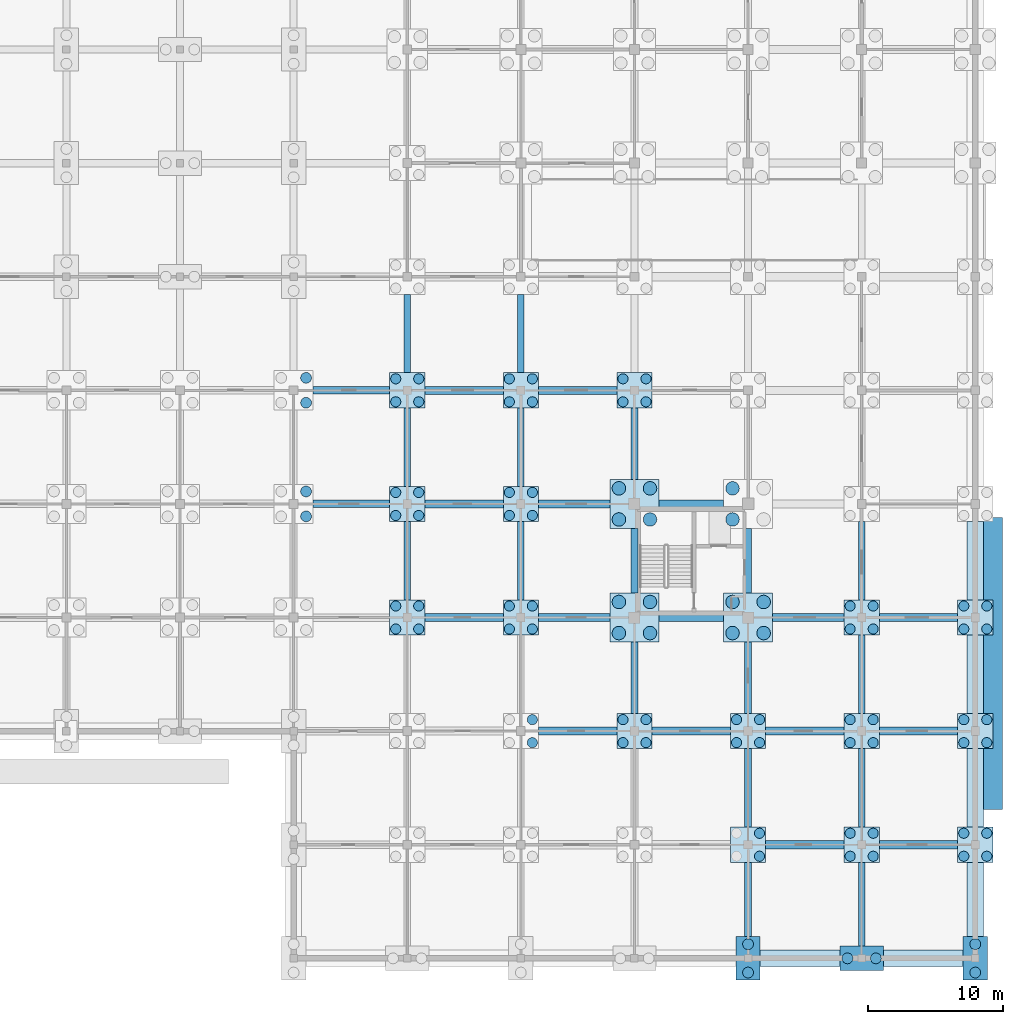
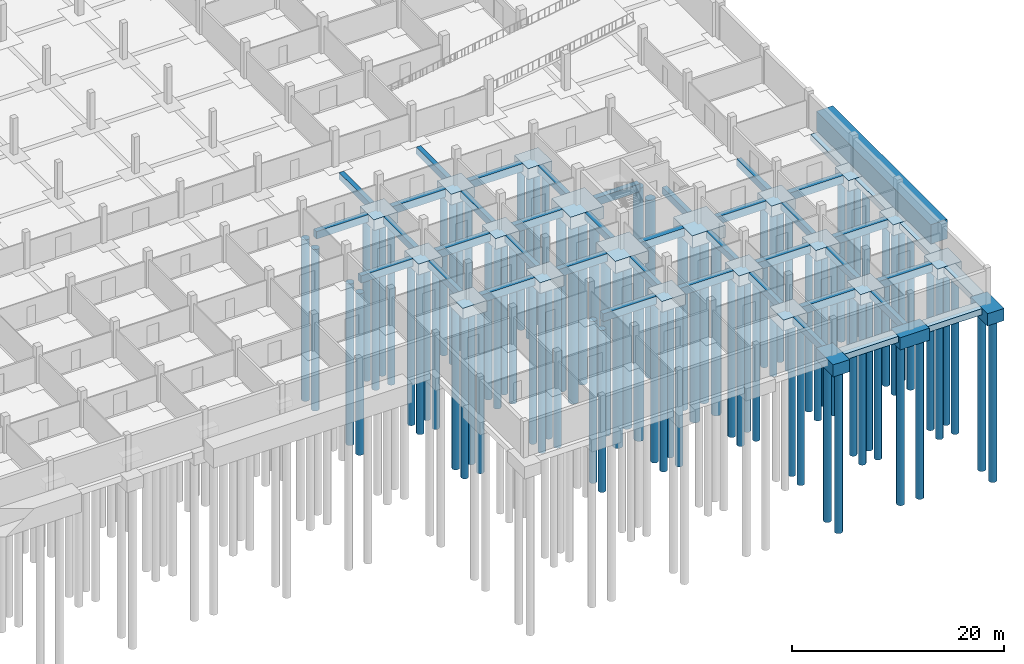
# One storey, part 12 of 43: 88 piles, 64 footings.
"""IFC4 building model written with IfcOpenShell, lengths in metres."""

from ifc_helpers import new_model, si_unit, direction, frame, origin, origin_2d, place, context, subcontext, project, spatial, rectangle, circle, extrude, material, material_profile, profile_set, type_object, element, save


model = new_model("IFC4")

# Units and contexts
model_context = context("Model", 3, precision=1e-05, world=origin(), true_north=direction((0.0, 1.0)))
body_context = subcontext(model_context, "Body", "Model", "MODEL_VIEW")
ifc_project = project(units=[si_unit("LENGTHUNIT", "METRE"), si_unit("AREAUNIT", "SQUARE_METRE"), si_unit("VOLUMEUNIT", "CUBIC_METRE"), si_unit("PLANEANGLEUNIT", "RADIAN"), si_unit("MASSUNIT", "GRAM", prefix="KILO")], contexts=[model_context])

# Site, building, storey
site_placement = place(None, origin())
site = spatial("IfcSite", under=ifc_project, at=site_placement, CompositionType="ELEMENT")
building_placement = place(site_placement, origin())
building = spatial("IfcBuilding", under=site, at=building_placement, Name="Varnapada Polytechnic", CompositionType="ELEMENT")
storey_placement = place(building_placement, frame((0.0, 0.0, -4.199951171875)))
storey = spatial("IfcBuildingStorey", under=building, at=storey_placement, Name="B1", CompositionType="ELEMENT", Elevation=-4.199951171875)

# Piles
ifc_material = material(Name="Concrete C40/50", Category="concrete")
ifc_material_profile_1 = material_profile(ifc_material, circle(Radius=0.5, at=origin_2d()), Name="BP 1000")
ifc_profile_set_1 = profile_set([ifc_material_profile_1], Name="Concrete C40/50")
pile_type_1 = type_object("IfcPileType", Name="Bored Pile BP 1000", PredefinedType="BORED", material=ifc_profile_set_1)
for number, where, z_axis, x_axis, name in (
    (1, (150.050048828125, 24.050048828125, -1.300048828125), (0.0, 0.0, -1.0), (1.0, 0.0, 0.0), "Bored pile P-01 under CAP-18-03 (1)"),
    (2, (152.35009765625, 24.050048828125, -1.300048828125), (0.0, 0.0, -1.0), (1.0, 0.0, 0.0), "Bored pile P-01 under CAP-18-03 (2)"),
    (3, (150.050048828125, 26.35009765625, -1.300048828125), (0.0, 0.0, -1.0), (1.0, 0.0, 0.0), "Bored pile P-01 under CAP-18-03 (3)"),
    (4, (152.35009765625, 26.35009765625, -1.300048828125), (0.0, 0.0, -1.0), (1.0, 0.0, 0.0), "Bored pile P-01 under CAP-18-03 (4)"),
    (5, (150.050048828125, 32.449951171875, -1.300048828125), (0.0, 0.0, -1.0), (1.0, 0.0, 0.0), "Bored pile P-01 under CAP-18-04 (1)"),
    (6, (152.35009765625, 32.449951171875, -1.300048828125), (0.0, 0.0, -1.0), (1.0, 0.0, 0.0), "Bored pile P-01 under CAP-18-04 (2)"),
    (7, (150.050048828125, 34.75, -1.300048828125), (0.0, 0.0, -1.0), (1.0, 0.0, 0.0), "Bored pile P-01 under CAP-18-04 (3)"),
    (8, (152.35009765625, 34.75, -1.300048828125), (0.0, 0.0, -1.0), (1.0, 0.0, 0.0), "Bored pile P-01 under CAP-18-04 (4)"),
    (9, (158.449951171875, 24.050048828125, -1.300048828125), (0.0, 0.0, -1.0), (1.0, 0.0, 0.0), "Bored pile P-01 under CAP-19-03 (1)"),
    (10, (160.75, 24.050048828125, -1.300048828125), (0.0, 0.0, -1.0), (1.0, 0.0, 0.0), "Bored pile P-01 under CAP-19-03 (2)"),
    (11, (158.449951171875, 26.35009765625, -1.300048828125), (0.0, 0.0, -1.0), (1.0, 0.0, 0.0), "Bored pile P-01 under CAP-19-03 (3)"),
    (12, (160.75, 26.35009765625, -1.300048828125), (0.0, 0.0, -1.0), (1.0, 0.0, 0.0), "Bored pile P-01 under CAP-19-03 (4)"),
    (13, (158.449951171875, 32.449951171875, -1.300048828125), (0.0, 0.0, -1.0), (1.0, 0.0, 0.0), "Bored pile P-01 under CAP-19-04 (1)"),
    (14, (158.449951171875, 34.75, -1.300048828125), (0.0, 0.0, -1.0), (1.0, 0.0, 0.0), "Bored pile P-01 under CAP-19-04 (3)"),
):
    element("IfcPile", number, at=place(storey_placement, frame(where, z_axis=z_axis, x_axis=x_axis)), inside=storey, type_object=pile_type_1, Name=name, PredefinedType="BORED", context=body_context, shape_type="SweptSolid", body=[
        extrude(circle(Radius=0.5, at=origin_2d()), origin(), (0.0, 0.0, 1.0), 20.5),
    ])
ifc_material_profile_2 = material_profile(ifc_material, circle(Radius=0.375, at=origin_2d()), Name="BP 750")
ifc_profile_set_2 = profile_set([ifc_material_profile_2], Name="Concrete C40/50")
pile_type_2 = type_object("IfcPileType", Name="Bored Pile BP 750", PredefinedType="BORED", material=ifc_profile_set_2)
for number, where, z_axis, x_axis, name in (
    (15, (133.550048828125, 24.35009765625, -1.150146484375), (0.0, 0.0, -1.0), (1.0, 0.0, 0.0), "Bored pile P-05 under CAP-16-03 (1)"),
    (16, (135.25, 24.35009765625, -1.150146484375), (0.0, 0.0, -1.0), (1.0, 0.0, 0.0), "Bored pile P-05 under CAP-16-03 (2)"),
    (17, (133.550048828125, 26.050048828125, -1.150146484375), (0.0, 0.0, -1.0), (1.0, 0.0, 0.0), "Bored pile P-05 under CAP-16-03 (3)"),
    (18, (135.25, 26.050048828125, -1.150146484375), (0.0, 0.0, -1.0), (1.0, 0.0, 0.0), "Bored pile P-05 under CAP-16-03 (4)"),
    (19, (133.550048828125, 32.75, -1.150146484375), (0.0, 0.0, -1.0), (1.0, 0.0, 0.0), "Bored pile P-05 under CAP-16-04 (1)"),
    (20, (135.25, 32.75, -1.150146484375), (0.0, 0.0, -1.0), (1.0, 0.0, 0.0), "Bored pile P-05 under CAP-16-04 (2)"),
    (21, (133.550048828125, 34.449951171875, -1.150146484375), (0.0, 0.0, -1.0), (1.0, 0.0, 0.0), "Bored pile P-05 under CAP-16-04 (3)"),
    (22, (135.25, 34.449951171875, -1.150146484375), (0.0, 0.0, -1.0), (1.0, 0.0, 0.0), "Bored pile P-05 under CAP-16-04 (4)"),
    (23, (133.550048828125, 41.14990234375, -1.150146484375), (0.0, 0.0, -1.0), (1.0, 0.0, 0.0), "Bored pile P-05 under CAP-16-05 (1)"),
    (24, (135.25, 41.14990234375, -1.150146484375), (0.0, 0.0, -1.0), (1.0, 0.0, 0.0), "Bored pile P-05 under CAP-16-05 (2)"),
    (25, (133.550048828125, 42.85009765625, -1.150146484375), (0.0, 0.0, -1.0), (1.0, 0.0, 0.0), "Bored pile P-05 under CAP-16-05 (3)"),
    (26, (135.25, 42.85009765625, -1.150146484375), (0.0, 0.0, -1.0), (1.0, 0.0, 0.0), "Bored pile P-05 under CAP-16-05 (4)"),
    (27, (143.64990234375, 15.949951171875, -1.150146484375), (0.0, 0.0, -1.0), (1.0, 0.0, 0.0), "Bored pile P-05 under CAP-17-02 (2)"),
    (28, (143.64990234375, 17.64990234375, -1.150146484375), (0.0, 0.0, -1.0), (1.0, 0.0, 0.0), "Bored pile P-05 under CAP-17-02 (4)"),
    (29, (141.949951171875, 24.35009765625, -1.150146484375), (0.0, 0.0, -1.0), (1.0, 0.0, 0.0), "Bored pile P-05 under CAP-17-03 (1)"),
    (30, (143.64990234375, 24.35009765625, -1.150146484375), (0.0, 0.0, -1.0), (1.0, 0.0, 0.0), "Bored pile P-05 under CAP-17-03 (2)"),
    (31, (141.949951171875, 26.050048828125, -1.150146484375), (0.0, 0.0, -1.0), (1.0, 0.0, 0.0), "Bored pile P-05 under CAP-17-03 (3)"),
    (32, (143.64990234375, 26.050048828125, -1.150146484375), (0.0, 0.0, -1.0), (1.0, 0.0, 0.0), "Bored pile P-05 under CAP-17-03 (4)"),
    (33, (141.949951171875, 32.75, -1.150146484375), (0.0, 0.0, -1.0), (1.0, 0.0, 0.0), "Bored pile P-05 under CAP-17-04 (1)"),
    (34, (143.64990234375, 32.75, -1.150146484375), (0.0, 0.0, -1.0), (1.0, 0.0, 0.0), "Bored pile P-05 under CAP-17-04 (2)"),
    (35, (141.949951171875, 34.449951171875, -1.150146484375), (0.0, 0.0, -1.0), (1.0, 0.0, 0.0), "Bored pile P-05 under CAP-17-04 (3)"),
    (36, (143.64990234375, 34.449951171875, -1.150146484375), (0.0, 0.0, -1.0), (1.0, 0.0, 0.0), "Bored pile P-05 under CAP-17-04 (4)"),
    (37, (141.949951171875, 41.14990234375, -1.150146484375), (0.0, 0.0, -1.0), (1.0, 0.0, 0.0), "Bored pile P-05 under CAP-17-05 (1)"),
    (38, (143.64990234375, 41.14990234375, -1.150146484375), (0.0, 0.0, -1.0), (1.0, 0.0, 0.0), "Bored pile P-05 under CAP-17-05 (2)"),
    (39, (141.949951171875, 42.85009765625, -1.150146484375), (0.0, 0.0, -1.0), (1.0, 0.0, 0.0), "Bored pile P-05 under CAP-17-05 (3)"),
    (40, (143.64990234375, 42.85009765625, -1.150146484375), (0.0, 0.0, -1.0), (1.0, 0.0, 0.0), "Bored pile P-05 under CAP-17-05 (4)"),
    (41, (150.35009765625, 15.949951171875, -1.150146484375), (0.0, 0.0, -1.0), (1.0, 0.0, 0.0), "Bored pile P-05 under CAP-18-02 (1)"),
    (42, (152.050048828125, 15.949951171875, -1.150146484375), (0.0, 0.0, -1.0), (1.0, 0.0, 0.0), "Bored pile P-05 under CAP-18-02 (2)"),
    (43, (150.35009765625, 17.64990234375, -1.150146484375), (0.0, 0.0, -1.0), (1.0, 0.0, 0.0), "Bored pile P-05 under CAP-18-02 (3)"),
    (44, (152.050048828125, 17.64990234375, -1.150146484375), (0.0, 0.0, -1.0), (1.0, 0.0, 0.0), "Bored pile P-05 under CAP-18-02 (4)"),
    (45, (150.35009765625, 41.14990234375, -1.150146484375), (0.0, 0.0, -1.0), (1.0, 0.0, 0.0), "Bored pile P-05 under CAP-18-05 (1)"),
    (46, (152.050048828125, 41.14990234375, -1.150146484375), (0.0, 0.0, -1.0), (1.0, 0.0, 0.0), "Bored pile P-05 under CAP-18-05 (2)"),
    (47, (150.35009765625, 42.85009765625, -1.150146484375), (0.0, 0.0, -1.0), (1.0, 0.0, 0.0), "Bored pile P-05 under CAP-18-05 (3)"),
    (48, (152.050048828125, 42.85009765625, -1.150146484375), (0.0, 0.0, -1.0), (1.0, 0.0, 0.0), "Bored pile P-05 under CAP-18-05 (4)"),
    (49, (160.449951171875, 7.550048828125, -1.150146484375), (0.0, 0.0, -1.0), (1.0, 0.0, 0.0), "Bored pile P-05 under CAP-19-01 (2)"),
    (50, (160.449951171875, 9.25, -1.150146484375), (0.0, 0.0, -1.0), (1.0, 0.0, 0.0), "Bored pile P-05 under CAP-19-01 (4)"),
    (51, (158.75, 15.949951171875, -1.150146484375), (0.0, 0.0, -1.0), (1.0, 0.0, 0.0), "Bored pile P-05 under CAP-19-02 (1)"),
    (52, (160.449951171875, 15.949951171875, -1.150146484375), (0.0, 0.0, -1.0), (1.0, 0.0, 0.0), "Bored pile P-05 under CAP-19-02 (2)"),
    (53, (158.75, 17.64990234375, -1.150146484375), (0.0, 0.0, -1.0), (1.0, 0.0, 0.0), "Bored pile P-05 under CAP-19-02 (3)"),
    (54, (160.449951171875, 17.64990234375, -1.150146484375), (0.0, 0.0, -1.0), (1.0, 0.0, 0.0), "Bored pile P-05 under CAP-19-02 (4)"),
    (55, (167.14990234375, 7.550048828125, -1.150146484375), (0.0, 0.0, -1.0), (1.0, 0.0, 0.0), "Bored pile P-05 under CAP-20-01 (1)"),
    (56, (168.85009765625, 7.550048828125, -1.150146484375), (0.0, 0.0, -1.0), (1.0, 0.0, 0.0), "Bored pile P-05 under CAP-20-01 (2)"),
    (57, (167.14990234375, 9.25, -1.150146484375), (0.0, 0.0, -1.0), (1.0, 0.0, 0.0), "Bored pile P-05 under CAP-20-01 (3)"),
    (58, (168.85009765625, 9.25, -1.150146484375), (0.0, 0.0, -1.0), (1.0, 0.0, 0.0), "Bored pile P-05 under CAP-20-01 (4)"),
    (59, (167.14990234375, 15.949951171875, -1.150146484375), (0.0, 0.0, -1.0), (1.0, 0.0, 0.0), "Bored pile P-05 under CAP-20-02 (1)"),
    (60, (168.85009765625, 15.949951171875, -1.150146484375), (0.0, 0.0, -1.0), (1.0, 0.0, 0.0), "Bored pile P-05 under CAP-20-02 (2)"),
    (61, (167.14990234375, 17.64990234375, -1.150146484375), (0.0, 0.0, -1.0), (1.0, 0.0, 0.0), "Bored pile P-05 under CAP-20-02 (3)"),
    (62, (168.85009765625, 17.64990234375, -1.150146484375), (0.0, 0.0, -1.0), (1.0, 0.0, 0.0), "Bored pile P-05 under CAP-20-02 (4)"),
    (63, (167.14990234375, 24.35009765625, -1.150146484375), (0.0, 0.0, -1.0), (1.0, 0.0, 0.0), "Bored pile P-05 under CAP-20-03 (1)"),
    (64, (168.85009765625, 24.35009765625, -1.150146484375), (0.0, 0.0, -1.0), (1.0, 0.0, 0.0), "Bored pile P-05 under CAP-20-03 (2)"),
    (65, (167.14990234375, 26.050048828125, -1.150146484375), (0.0, 0.0, -1.0), (1.0, 0.0, 0.0), "Bored pile P-05 under CAP-20-03 (3)"),
    (66, (168.85009765625, 26.050048828125, -1.150146484375), (0.0, 0.0, -1.0), (1.0, 0.0, 0.0), "Bored pile P-05 under CAP-20-03 (4)"),
    (67, (175.550048828125, 7.550048828125, -1.150146484375), (0.0, 0.0, -1.0), (1.0, 0.0, 0.0), "Bored pile P-05 under CAP-21-01 (1)"),
    (68, (177.25, 7.550048828125, -1.150146484375), (0.0, 0.0, -1.0), (1.0, 0.0, 0.0), "Bored pile P-05 under CAP-21-01 (2)"),
    (69, (175.550048828125, 9.25, -1.150146484375), (0.0, 0.0, -1.0), (1.0, 0.0, 0.0), "Bored pile P-05 under CAP-21-01 (3)"),
    (70, (177.25, 9.25, -1.150146484375), (0.0, 0.0, -1.0), (1.0, 0.0, 0.0), "Bored pile P-05 under CAP-21-01 (4)"),
    (71, (175.550048828125, 15.949951171875, -1.150146484375), (0.0, 0.0, -1.0), (1.0, 0.0, 0.0), "Bored pile P-05 under CAP-21-02 (1)"),
    (72, (177.25, 15.949951171875, -1.150146484375), (0.0, 0.0, -1.0), (1.0, 0.0, 0.0), "Bored pile P-05 under CAP-21-02 (2)"),
    (73, (175.550048828125, 17.64990234375, -1.150146484375), (0.0, 0.0, -1.0), (1.0, 0.0, 0.0), "Bored pile P-05 under CAP-21-02 (3)"),
    (74, (177.25, 17.64990234375, -1.150146484375), (0.0, 0.0, -1.0), (1.0, 0.0, 0.0), "Bored pile P-05 under CAP-21-02 (4)"),
    (75, (175.550048828125, 24.35009765625, -1.150146484375), (0.0, 0.0, -1.0), (1.0, 0.0, 0.0), "Bored pile P-05 under CAP-21-03 (1)"),
    (76, (177.25, 24.35009765625, -1.150146484375), (0.0, 0.0, -1.0), (1.0, 0.0, 0.0), "Bored pile P-05 under CAP-21-03 (2)"),
    (77, (175.550048828125, 26.050048828125, -1.150146484375), (0.0, 0.0, -1.0), (1.0, 0.0, 0.0), "Bored pile P-05 under CAP-21-03 (3)"),
    (78, (177.25, 26.050048828125, -1.150146484375), (0.0, 0.0, -1.0), (1.0, 0.0, 0.0), "Bored pile P-05 under CAP-21-03 (4)"),
):
    element("IfcPile", number, at=place(storey_placement, frame(where, z_axis=z_axis, x_axis=x_axis)), inside=storey, type_object=pile_type_2, Name=name, PredefinedType="BORED", context=body_context, shape_type="SweptSolid", body=[
        extrude(circle(Radius=0.375, at=origin_2d()), origin(), (0.0, 0.0, 1.0), 18.64990234375),
    ])
ifc_material_profile_3 = material_profile(ifc_material, circle(Radius=0.39990234375, at=origin_2d()), Name="BP 800")
ifc_profile_set_3 = profile_set([ifc_material_profile_3], Name="Concrete C40/50")
pile_type_3 = type_object("IfcPileType", Name="Bored Pile BP 800", PredefinedType="BORED", material=ifc_profile_set_3)
for number, where, z_axis, x_axis, name in (
    (79, (126.919921875, 32.679931640625, -1.199951171875), (0.0, 0.0, -1.0), (1.0, 0.0, 0.0), "Bored pile P-03 under CAP-15-04 (2)"),
    (80, (126.919921875, 34.52001953125, -1.199951171875), (0.0, 0.0, -1.0), (1.0, 0.0, 0.0), "Bored pile P-03 under CAP-15-04 (4)"),
    (81, (126.919921875, 41.080078125, -1.199951171875), (0.0, 0.0, -1.0), (1.0, 0.0, 0.0), "Bored pile P-03 under CAP-15-05 (2)"),
    (82, (126.919921875, 42.919921875, -1.199951171875), (0.0, 0.0, -1.0), (1.0, 0.0, 0.0), "Bored pile P-03 under CAP-15-05 (4)"),
):
    element("IfcPile", number, at=place(storey_placement, frame(where, z_axis=z_axis, x_axis=x_axis)), inside=storey, type_object=pile_type_3, Name=name, PredefinedType="BORED", context=body_context, shape_type="SweptSolid", body=[
        extrude(circle(Radius=0.39990234375, at=origin_2d()), origin(), (0.0, 0.0, 1.0), 18.60009765625),
    ])
for number, where, z_axis, x_axis, name in (
    (83, (159.60009765625, -1.050048828125, -1.300048828125), (0.0, 0.0, -1.0), (1.0, 0.0, 0.0), "Bored pile P-03 under CAP-19-00 (1)"),
    (84, (159.60009765625, 1.050048828125, -1.300048828125), (0.0, 0.0, -1.0), (1.0, 0.0, 0.0), "Bored pile P-03 under CAP-19-00 (2)"),
    (85, (166.949951171875, 0.0, -1.300048828125), (0.0, 0.0, -1.0), (1.0, 0.0, 0.0), "Bored pile P-03 under CAP-20-00 (1)"),
    (86, (169.050048828125, 0.0, -1.300048828125), (0.0, 0.0, -1.0), (1.0, 0.0, 0.0), "Bored pile P-03 under CAP-20-00 (2)"),
    (87, (176.39990234375, -1.050048828125, -1.300048828125), (0.0, 0.0, -1.0), (1.0, 0.0, 0.0), "Bored pile P-03 under CAP-21-00 (1)"),
    (88, (176.39990234375, 1.050048828125, -1.300048828125), (0.0, 0.0, -1.0), (1.0, 0.0, 0.0), "Bored pile P-03 under CAP-21-00 (2)"),
):
    element("IfcPile", number, at=place(storey_placement, frame(where, z_axis=z_axis, x_axis=x_axis)), inside=storey, type_object=pile_type_3, Name=name, PredefinedType="BORED", context=body_context, shape_type="SweptSolid", body=[
        extrude(circle(Radius=0.39990234375, at=origin_2d()), origin(), (0.0, 0.0, 1.0), 18.5),
    ])

# Footings
footing_type_1 = type_object("IfcFootingType", Name="Footing GB-01", PredefinedType="FOOTING_BEAM", material=ifc_material)
for number, where, z_axis, x_axis, name in (
    (89, (138.60009765625, 25.199951171875, -0.89990234375), (0.0, 0.0, 1.0), (1.0, 0.0, 0.0), "Ground footing beam GB-01 X 17-18"),
    (90, (138.60009765625, 33.60009765625, -0.89990234375), (0.0, 0.0, 1.0), (1.0, 0.0, 0.0), "Ground footing beam GB-01 X 17-18"),
    (91, (138.60009765625, 42.0, -0.89990234375), (0.0, 0.0, 1.0), (1.0, 0.0, 0.0), "Ground footing beam GB-01 X 17-18"),
    (92, (147.0, 16.800048828125, -0.89990234375), (0.0, 0.0, 1.0), (1.0, 0.0, 0.0), "Ground footing beam GB-01 X 18-19"),
):
    element("IfcFooting", number, at=place(storey_placement, frame(where, z_axis=z_axis, x_axis=x_axis)), inside=storey, type_object=footing_type_1, Name=name, PredefinedType="FOOTING_BEAM", context=body_context, shape_type="SweptSolid", body=[
        extrude(rectangle(XDim=5.800048828125, YDim=0.60009765625, at=origin_2d()), origin(), (0.0, 0.0, 1.0), 0.89990234375),
    ])
for number, where, z_axis, x_axis, name in (
    (93, (146.75, 25.199951171875, -0.89990234375), (0.0, 0.0, 1.0), (1.0, 0.0, 0.0), "Ground footing beam GB-01 X 18-19"),
    (94, (146.75, 33.60009765625, -0.89990234375), (0.0, 0.0, 1.0), (1.0, 0.0, 0.0), "Ground footing beam GB-01 X 18-19"),
):
    element("IfcFooting", number, at=place(storey_placement, frame(where, z_axis=z_axis, x_axis=x_axis)), inside=storey, type_object=footing_type_1, Name=name, PredefinedType="FOOTING_BEAM", context=body_context, shape_type="SweptSolid", body=[
        extrude(rectangle(XDim=5.300048828125, YDim=0.60009765625, at=origin_2d()), origin(), (0.0, 0.0, 1.0), 0.89990234375),
    ])
for number, where, z_axis, x_axis, name in (
    (95, (147.0, 42.0, -0.89990234375), (0.0, 0.0, 1.0), (1.0, 0.0, 0.0), "Ground footing beam GB-01 X 18-19"),
    (96, (155.39990234375, 16.800048828125, -0.89990234375), (0.0, 0.0, 1.0), (1.0, 0.0, 0.0), "Ground footing beam GB-01 X 19-20"),
):
    element("IfcFooting", number, at=place(storey_placement, frame(where, z_axis=z_axis, x_axis=x_axis)), inside=storey, type_object=footing_type_1, Name=name, PredefinedType="FOOTING_BEAM", context=body_context, shape_type="SweptSolid", body=[
        extrude(rectangle(XDim=5.800048828125, YDim=0.60009765625, at=origin_2d()), origin(), (0.0, 0.0, 1.0), 0.89990234375),
    ])
for number, where, z_axis, x_axis, name in (
    (97, (155.39990234375, 25.199951171875, -0.89990234375), (0.0, 0.0, 1.0), (1.0, 0.0, 0.0), "Ground footing beam GB-01 X 19-20"),
    (98, (155.39990234375, 33.60009765625, -0.89990234375), (0.0, 0.0, 1.0), (1.0, 0.0, 0.0), "Ground footing beam GB-01 X 19-20"),
):
    element("IfcFooting", number, at=place(storey_placement, frame(where, z_axis=z_axis, x_axis=x_axis)), inside=storey, type_object=footing_type_1, Name=name, PredefinedType="FOOTING_BEAM", context=body_context, shape_type="SweptSolid", body=[
        extrude(rectangle(XDim=4.800048828125, YDim=0.60009765625, at=origin_2d()), origin(), (0.0, 0.0, 1.0), 0.89990234375),
    ])
for number, where, z_axis, x_axis, name in (
    (99, (163.800048828125, 8.39990234375, -0.89990234375), (0.0, 0.0, 1.0), (1.0, 0.0, 0.0), "Ground footing beam GB-01 X 20-21"),
    (100, (163.800048828125, 16.800048828125, -0.89990234375), (0.0, 0.0, 1.0), (1.0, 0.0, 0.0), "Ground footing beam GB-01 X 20-21"),
):
    element("IfcFooting", number, at=place(storey_placement, frame(where, z_axis=z_axis, x_axis=x_axis)), inside=storey, type_object=footing_type_1, Name=name, PredefinedType="FOOTING_BEAM", context=body_context, shape_type="SweptSolid", body=[
        extrude(rectangle(XDim=5.800048828125, YDim=0.60009765625, at=origin_2d()), origin(), (0.0, 0.0, 1.0), 0.89990234375),
    ])
footing_1_placement = place(storey_placement, frame((164.050048828125, 25.199951171875, -0.89990234375), z_axis=(0.0, 0.0, 1.0), x_axis=(1.0, 0.0, 0.0)))
element("IfcFooting", 101, at=footing_1_placement, inside=storey, type_object=footing_type_1, Name="Ground footing beam GB-01 X 20-21", PredefinedType="FOOTING_BEAM", context=body_context, shape_type="SweptSolid", body=[
    extrude(rectangle(XDim=5.300048828125, YDim=0.60009765625, at=origin_2d()), origin(), (0.0, 0.0, 1.0), 0.89990234375),
])
for number, where, z_axis, x_axis, name in (
    (102, (172.199951171875, 8.39990234375, -0.89990234375), (0.0, 0.0, 1.0), (1.0, 0.0, 0.0), "Ground footing beam GB-01 X 21-22"),
    (103, (172.199951171875, 16.800048828125, -0.89990234375), (0.0, 0.0, 1.0), (1.0, 0.0, 0.0), "Ground footing beam GB-01 X 21-22"),
    (104, (172.199951171875, 25.199951171875, -0.89990234375), (0.0, 0.0, 1.0), (1.0, 0.0, 0.0), "Ground footing beam GB-01 X 21-22"),
):
    element("IfcFooting", number, at=place(storey_placement, frame(where, z_axis=z_axis, x_axis=x_axis)), inside=storey, type_object=footing_type_1, Name=name, PredefinedType="FOOTING_BEAM", context=body_context, shape_type="SweptSolid", body=[
        extrude(rectangle(XDim=5.800048828125, YDim=0.60009765625, at=origin_2d()), origin(), (0.0, 0.0, 1.0), 0.89990234375),
    ])
footing_type_2 = type_object("IfcFootingType", Name="Footing GB-02", PredefinedType="FOOTING_BEAM", material=ifc_material)
for number, where, z_axis, x_axis, name in (
    (105, (134.39990234375, 29.39990234375, -0.80029296875), (0.0, 0.0, 1.0), (0.0, 1.0, 0.0), "Ground footing beam GB-02 Y 4-5"),
    (106, (134.39990234375, 37.800048828125, -0.80029296875), (0.0, 0.0, 1.0), (0.0, 1.0, 0.0), "Ground footing beam GB-02 Y 5-6"),
    (107, (134.39990234375, 46.199951171875, -0.80029296875), (0.0, 0.0, 1.0), (0.0, 1.0, 0.0), "Ground footing beam GB-02 Y 6-7"),
    (108, (142.800048828125, 29.39990234375, -0.80029296875), (0.0, 0.0, 1.0), (0.0, 1.0, 0.0), "Ground footing beam GB-02 Y 4-5"),
    (109, (142.800048828125, 37.800048828125, -0.80029296875), (0.0, 0.0, 1.0), (0.0, 1.0, 0.0), "Ground footing beam GB-02 Y 5-6"),
    (110, (142.800048828125, 46.199951171875, -0.80029296875), (0.0, 0.0, 1.0), (0.0, 1.0, 0.0), "Ground footing beam GB-02 Y 6-7"),
):
    element("IfcFooting", number, at=place(storey_placement, frame(where, z_axis=z_axis, x_axis=x_axis)), inside=storey, type_object=footing_type_2, Name=name, PredefinedType="FOOTING_BEAM", context=body_context, shape_type="SweptSolid", body=[
        extrude(rectangle(XDim=5.800048828125, YDim=0.5, at=origin_2d()), origin(), (0.0, 0.0, 1.0), 0.800048828125),
    ])
footing_2_placement = place(storey_placement, frame((151.199951171875, 20.75, -0.80029296875), z_axis=(0.0, 0.0, 1.0), x_axis=(0.0, 1.0, 0.0)))
element("IfcFooting", 111, at=footing_2_placement, inside=storey, type_object=footing_type_2, Name="Ground footing beam GB-02 Y 3-4", PredefinedType="FOOTING_BEAM", context=body_context, shape_type="SweptSolid", body=[
    extrude(rectangle(XDim=5.300048828125, YDim=0.5, at=origin_2d()), origin(), (0.0, 0.0, 1.0), 0.800048828125),
])
footing_3_placement = place(storey_placement, frame((151.199951171875, 29.39990234375, -0.80029296875), z_axis=(0.0, 0.0, 1.0), x_axis=(0.0, 1.0, 0.0)))
element("IfcFooting", 112, at=footing_3_placement, inside=storey, type_object=footing_type_2, Name="Ground footing beam GB-02 Y 4-5", PredefinedType="FOOTING_BEAM", context=body_context, shape_type="SweptSolid", body=[
    extrude(rectangle(XDim=4.800048828125, YDim=0.5, at=origin_2d()), origin(), (0.0, 0.0, 1.0), 0.800048828125),
])
footing_4_placement = place(storey_placement, frame((151.199951171875, 38.050048828125, -0.80029296875), z_axis=(0.0, 0.0, 1.0), x_axis=(0.0, 1.0, 0.0)))
element("IfcFooting", 113, at=footing_4_placement, inside=storey, type_object=footing_type_2, Name="Ground footing beam GB-02 Y 5-6", PredefinedType="FOOTING_BEAM", context=body_context, shape_type="SweptSolid", body=[
    extrude(rectangle(XDim=5.300048828125, YDim=0.5, at=origin_2d()), origin(), (0.0, 0.0, 1.0), 0.800048828125),
])
footing_5_placement = place(storey_placement, frame((159.60009765625, 4.35009765625, -0.80029296875), z_axis=(0.0, 0.0, 1.0), x_axis=(0.0, 1.0, 0.0)))
element("IfcFooting", 114, at=footing_5_placement, inside=storey, type_object=footing_type_2, Name="Ground footing beam GB-02 Y 1-2", PredefinedType="FOOTING_BEAM", context=body_context, shape_type="SweptSolid", body=[
    extrude(rectangle(XDim=5.5, YDim=0.5, at=origin_2d()), origin(), (0.0, 0.0, 1.0), 0.800048828125),
])
footing_6_placement = place(storey_placement, frame((159.60009765625, 12.60009765625, -0.80029296875), z_axis=(0.0, 0.0, 1.0), x_axis=(0.0, 1.0, 0.0)))
element("IfcFooting", 115, at=footing_6_placement, inside=storey, type_object=footing_type_2, Name="Ground footing beam GB-02 Y 2-3", PredefinedType="FOOTING_BEAM", context=body_context, shape_type="SweptSolid", body=[
    extrude(rectangle(XDim=5.800048828125, YDim=0.5, at=origin_2d()), origin(), (0.0, 0.0, 1.0), 0.800048828125),
])
footing_7_placement = place(storey_placement, frame((159.60009765625, 20.75, -0.80029296875), z_axis=(0.0, 0.0, 1.0), x_axis=(0.0, 1.0, 0.0)))
element("IfcFooting", 116, at=footing_7_placement, inside=storey, type_object=footing_type_2, Name="Ground footing beam GB-02 Y 3-4", PredefinedType="FOOTING_BEAM", context=body_context, shape_type="SweptSolid", body=[
    extrude(rectangle(XDim=5.300048828125, YDim=0.5, at=origin_2d()), origin(), (0.0, 0.0, 1.0), 0.800048828125),
])
footing_8_placement = place(storey_placement, frame((159.60009765625, 29.39990234375, -0.80029296875), z_axis=(0.0, 0.0, 1.0), x_axis=(0.0, 1.0, 0.0)))
element("IfcFooting", 117, at=footing_8_placement, inside=storey, type_object=footing_type_2, Name="Ground footing beam GB-02 Y 4-5", PredefinedType="FOOTING_BEAM", context=body_context, shape_type="SweptSolid", body=[
    extrude(rectangle(XDim=4.800048828125, YDim=0.5, at=origin_2d()), origin(), (0.0, 0.0, 1.0), 0.800048828125),
])
footing_9_placement = place(storey_placement, frame((168.0, 4.0, -0.80029296875), z_axis=(0.0, 0.0, 1.0), x_axis=(0.0, 1.0, 0.0)))
element("IfcFooting", 118, at=footing_9_placement, inside=storey, type_object=footing_type_2, Name="Ground footing beam GB-02 Y 1-2", PredefinedType="FOOTING_BEAM", context=body_context, shape_type="SweptSolid", body=[
    extrude(rectangle(XDim=6.199951171875, YDim=0.5, at=origin_2d()), origin(), (0.0, 0.0, 1.0), 0.800048828125),
])
for number, where, z_axis, x_axis, name in (
    (119, (168.0, 12.60009765625, -0.80029296875), (0.0, 0.0, 1.0), (0.0, 1.0, 0.0), "Ground footing beam GB-02 Y 2-3"),
    (120, (168.0, 21.0, -0.80029296875), (0.0, 0.0, 1.0), (0.0, 1.0, 0.0), "Ground footing beam GB-02 Y 3-4"),
    (121, (168.0, 29.39990234375, -0.80029296875), (0.0, 0.0, 1.0), (0.0, 1.0, 0.0), "Ground footing beam GB-02 Y 4-5"),
):
    element("IfcFooting", number, at=place(storey_placement, frame(where, z_axis=z_axis, x_axis=x_axis)), inside=storey, type_object=footing_type_2, Name=name, PredefinedType="FOOTING_BEAM", context=body_context, shape_type="SweptSolid", body=[
        extrude(rectangle(XDim=5.800048828125, YDim=0.5, at=origin_2d()), origin(), (0.0, 0.0, 1.0), 0.800048828125),
    ])
footing_type_3 = type_object("IfcFootingType", Name="Footing GB-04", PredefinedType="FOOTING_BEAM", material=ifc_material)
for number, where, z_axis, x_axis, name in (
    (122, (130.27490234375, 33.60009765625, -0.85009765625), (0.0, 0.0, 1.0), (1.0, 0.0, 0.0), "Ground footing beam GB-04 X 16-17"),
    (123, (130.27490234375, 42.0, -0.85009765625), (0.0, 0.0, 1.0), (1.0, 0.0, 0.0), "Ground footing beam GB-04 X 16-17"),
):
    element("IfcFooting", number, at=place(storey_placement, frame(where, z_axis=z_axis, x_axis=x_axis)), inside=storey, type_object=footing_type_3, Name=name, PredefinedType="FOOTING_BEAM", context=body_context, shape_type="SweptSolid", body=[
        extrude(rectangle(XDim=5.64990234375, YDim=0.550048828125, at=origin_2d()), origin(), (0.0, 0.0, 1.0), 0.85009765625),
    ])
footing_type_4 = type_object("IfcFootingType", Name="Footing PC-01", PredefinedType="PILE_CAP", material=ifc_material)
for number, where, z_axis, x_axis, name in (
    (124, (151.199951171875, 25.199951171875, -1.39990234375), (0.0, 0.0, 1.0), (1.0, 0.0, 0.0), "Pile cap PC-01 at grid 19/4"),
    (125, (151.199951171875, 33.60009765625, -1.39990234375), (0.0, 0.0, 1.0), (1.0, 0.0, 0.0), "Pile cap PC-01 at grid 19/5"),
    (126, (159.60009765625, 25.199951171875, -1.39990234375), (0.0, 0.0, 1.0), (1.0, 0.0, 0.0), "Pile cap PC-01 at grid 20/4"),
):
    element("IfcFooting", number, at=place(storey_placement, frame(where, z_axis=z_axis, x_axis=x_axis)), inside=storey, type_object=footing_type_4, Name=name, PredefinedType="PILE_CAP", context=body_context, shape_type="SweptSolid", body=[
        extrude(rectangle(XDim=3.60009765625, YDim=3.60009765625, at=origin_2d()), origin(), (0.0, 0.0, 1.0), 1.39990234375),
    ])
footing_type_5 = type_object("IfcFootingType", Name="Footing PC-04", PredefinedType="PILE_CAP", material=ifc_material)
footing_10_placement = place(storey_placement, frame((168.0, 0.0, -1.39990234375), z_axis=(0.0, 0.0, 1.0), x_axis=(1.0, 0.0, 0.0)))
element("IfcFooting", 127, at=footing_10_placement, inside=storey, type_object=footing_type_5, Name="Pile cap PC-04 at grid 21/1", PredefinedType="PILE_CAP", context=body_context, shape_type="SweptSolid", body=[
    extrude(rectangle(XDim=3.199951171875, YDim=1.800048828125, at=origin_2d()), origin(), (0.0, 0.0, 1.0), 1.39990234375),
])
footing_type_6 = type_object("IfcFootingType", Name="Footing PC-05", PredefinedType="PILE_CAP", material=ifc_material)
for number, where, z_axis, x_axis, name in (
    (128, (159.60009765625, 0.0, -1.39990234375), (0.0, 0.0, 1.0), (1.0, 0.0, 0.0), "Pile cap PC-05 at grid 20/1"),
    (129, (176.39990234375, 0.0, -1.39990234375), (0.0, 0.0, 1.0), (1.0, 0.0, 0.0), "Pile cap PC-05 at grid 22/1"),
):
    element("IfcFooting", number, at=place(storey_placement, frame(where, z_axis=z_axis, x_axis=x_axis)), inside=storey, type_object=footing_type_6, Name=name, PredefinedType="PILE_CAP", context=body_context, shape_type="SweptSolid", body=[
        extrude(rectangle(XDim=1.800048828125, YDim=3.199951171875, at=origin_2d()), origin(), (0.0, 0.0, 1.0), 1.39990234375),
    ])
footing_type_7 = type_object("IfcFootingType", Name="Footing PC-10", PredefinedType="PILE_CAP", material=ifc_material)
for number, where, z_axis, x_axis, name in (
    (130, (134.39990234375, 25.199951171875, -1.25), (0.0, 0.0, 1.0), (1.0, 0.0, 0.0), "Pile cap PC-10 at grid 17/4"),
    (131, (134.39990234375, 33.60009765625, -1.25), (0.0, 0.0, 1.0), (1.0, 0.0, 0.0), "Pile cap PC-10 at grid 17/5"),
    (132, (134.39990234375, 42.0, -1.25), (0.0, 0.0, 1.0), (1.0, 0.0, 0.0), "Pile cap PC-10 at grid 17/6"),
    (133, (142.800048828125, 25.199951171875, -1.25), (0.0, 0.0, 1.0), (1.0, 0.0, 0.0), "Pile cap PC-10 at grid 18/4"),
    (134, (142.800048828125, 33.60009765625, -1.25), (0.0, 0.0, 1.0), (1.0, 0.0, 0.0), "Pile cap PC-10 at grid 18/5"),
    (135, (142.800048828125, 42.0, -1.25), (0.0, 0.0, 1.0), (1.0, 0.0, 0.0), "Pile cap PC-10 at grid 18/6"),
    (136, (151.199951171875, 16.800048828125, -1.25), (0.0, 0.0, 1.0), (1.0, 0.0, 0.0), "Pile cap PC-10 at grid 19/3"),
    (137, (151.199951171875, 42.0, -1.25), (0.0, 0.0, 1.0), (1.0, 0.0, 0.0), "Pile cap PC-10 at grid 19/6"),
    (138, (159.60009765625, 8.39990234375, -1.25), (0.0, 0.0, 1.0), (1.0, 0.0, 0.0), "Pile cap PC-10 at grid 20/2"),
    (139, (159.60009765625, 16.800048828125, -1.25), (0.0, 0.0, 1.0), (1.0, 0.0, 0.0), "Pile cap PC-10 at grid 20/3"),
    (140, (168.0, 8.39990234375, -1.25), (0.0, 0.0, 1.0), (1.0, 0.0, 0.0), "Pile cap PC-10 at grid 21/2"),
    (141, (168.0, 16.800048828125, -1.25), (0.0, 0.0, 1.0), (1.0, 0.0, 0.0), "Pile cap PC-10 at grid 21/3"),
    (142, (168.0, 25.199951171875, -1.25), (0.0, 0.0, 1.0), (1.0, 0.0, 0.0), "Pile cap PC-10 at grid 21/4"),
    (143, (176.39990234375, 8.39990234375, -1.25), (0.0, 0.0, 1.0), (1.0, 0.0, 0.0), "Pile cap PC-10 at grid 22/2"),
    (144, (176.39990234375, 16.800048828125, -1.25), (0.0, 0.0, 1.0), (1.0, 0.0, 0.0), "Pile cap PC-10 at grid 22/3"),
    (145, (176.39990234375, 25.199951171875, -1.25), (0.0, 0.0, 1.0), (1.0, 0.0, 0.0), "Pile cap PC-10 at grid 22/4"),
):
    element("IfcFooting", number, at=place(storey_placement, frame(where, z_axis=z_axis, x_axis=x_axis)), inside=storey, type_object=footing_type_7, Name=name, PredefinedType="PILE_CAP", context=body_context, shape_type="SweptSolid", body=[
        extrude(rectangle(XDim=2.60009765625, YDim=2.60009765625, at=origin_2d()), origin(), (0.0, 0.0, 1.0), 1.25),
    ])
footing_type_8 = type_object("IfcFootingType", Name="Footing SF-01", PredefinedType="STRIP_FOOTING", material=ifc_material)
for number, where, z_axis, x_axis, name in (
    (146, (163.449951171875, 0.0, -0.7001953125), (0.0, 0.0, 1.0), (1.0, 0.0, 0.0), "Ground footing beam SF-01 X 20-21"),
    (147, (172.550048828125, 0.0, -0.7001953125), (0.0, 0.0, 1.0), (1.0, 0.0, 0.0), "Ground footing beam SF-01 X 21-22"),
):
    element("IfcFooting", number, at=place(storey_placement, frame(where, z_axis=z_axis, x_axis=x_axis)), inside=storey, type_object=footing_type_8, Name=name, PredefinedType="STRIP_FOOTING", context=body_context, shape_type="SweptSolid", body=[
        extrude(rectangle(XDim=5.89990234375, YDim=1.199951171875, at=origin_2d()), origin(), (0.0, 0.0, 1.0), 0.699951171875),
    ])
footing_11_placement = place(storey_placement, frame((176.39990234375, 4.35009765625, -0.7001953125), z_axis=(0.0, 0.0, 1.0), x_axis=(0.0, 1.0, 0.0)))
element("IfcFooting", 148, at=footing_11_placement, inside=storey, type_object=footing_type_8, Name="Ground footing beam SF-01 Y 1-2", PredefinedType="STRIP_FOOTING", context=body_context, shape_type="SweptSolid", body=[
    extrude(rectangle(XDim=5.5, YDim=1.199951171875, at=origin_2d()), origin(), (0.0, 0.0, 1.0), 0.699951171875),
])
for number, where, z_axis, x_axis, name in (
    (149, (176.39990234375, 12.60009765625, -0.7001953125), (0.0, 0.0, 1.0), (0.0, 1.0, 0.0), "Ground footing beam SF-01 Y 2-3"),
    (150, (176.39990234375, 21.0, -0.7001953125), (0.0, 0.0, 1.0), (0.0, 1.0, 0.0), "Ground footing beam SF-01 Y 3-4"),
    (151, (176.39990234375, 29.39990234375, -0.7001953125), (0.0, 0.0, 1.0), (0.0, 1.0, 0.0), "Ground footing beam SF-01 Y 4-5"),
):
    element("IfcFooting", number, at=place(storey_placement, frame(where, z_axis=z_axis, x_axis=x_axis)), inside=storey, type_object=footing_type_8, Name=name, PredefinedType="STRIP_FOOTING", context=body_context, shape_type="SweptSolid", body=[
        extrude(rectangle(XDim=5.800048828125, YDim=1.199951171875, at=origin_2d()), origin(), (0.0, 0.0, 1.0), 0.699951171875),
    ])
footing_type_9 = type_object("IfcFootingType", Name="Footing SF-03", PredefinedType="STRIP_FOOTING", material=ifc_material)
footing_12_placement = place(storey_placement, frame((177.5, 21.800048828125, 0.0), z_axis=(0.0, 0.0, 1.0), x_axis=(0.0, 1.0, 0.0)))
element("IfcFooting", 152, at=footing_12_placement, inside=storey, type_object=footing_type_9, Name="Ramp E1 continuous stem foundation footing", PredefinedType="STRIP_FOOTING", context=body_context, shape_type="SweptSolid", body=[
    extrude(rectangle(XDim=21.60009765625, YDim=1.800048828125, at=origin_2d()), origin(), (0.0, 0.0, 1.0), 2.219970703125),
])

save(model, "model.ifc")
